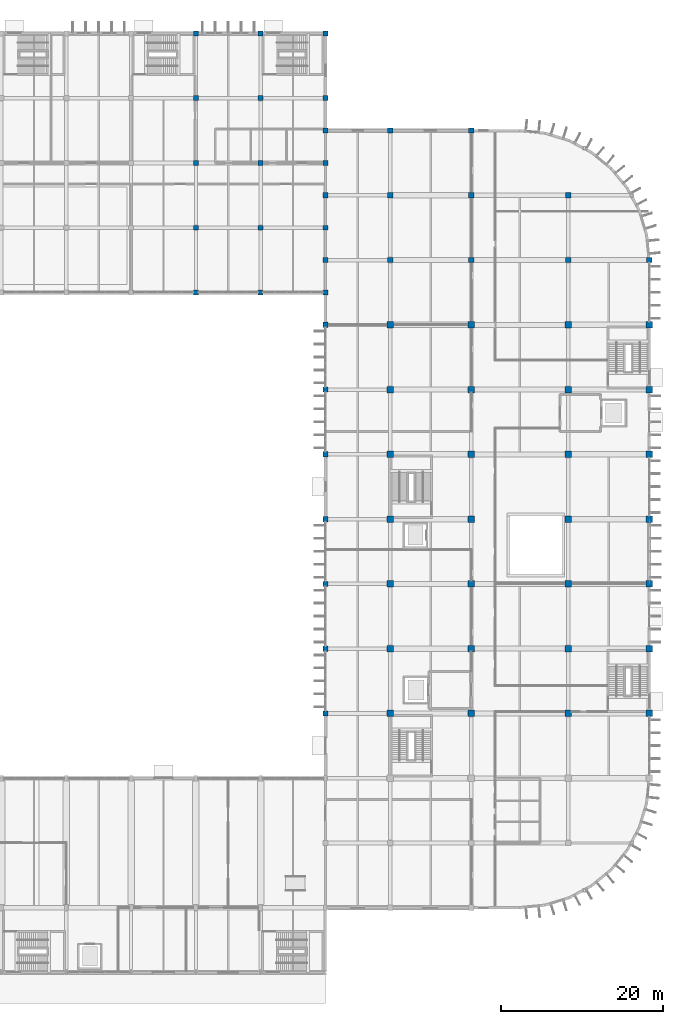
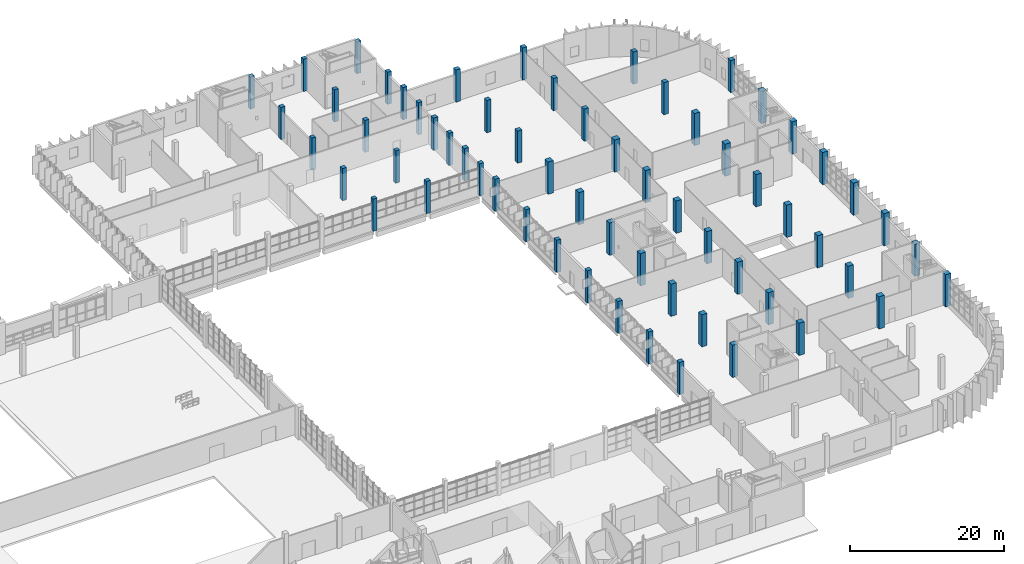
# One storey, part 11 of 103: 62 columns.
"""IFC4 building model written with IfcOpenShell, lengths in metres."""

from ifc_helpers import new_model, si_unit, direction, frame, origin, origin_2d, place, context, subcontext, project, spatial, rectangle, extrude, material, material_profile, profile_set, type_object, element, save


model = new_model("IFC4")

# Units and contexts
model_context = context("Model", 3, precision=1e-05, world=origin(), true_north=direction((0.0, 1.0)))
body_context = subcontext(model_context, "Body", "Model", "MODEL_VIEW")
ifc_project = project(units=[si_unit("LENGTHUNIT", "METRE"), si_unit("AREAUNIT", "SQUARE_METRE"), si_unit("VOLUMEUNIT", "CUBIC_METRE"), si_unit("PLANEANGLEUNIT", "RADIAN"), si_unit("MASSUNIT", "GRAM", prefix="KILO")], contexts=[model_context])

# Site, building, storey
site_placement = place(None, origin())
site = spatial("IfcSite", under=ifc_project, at=site_placement, CompositionType="ELEMENT")
building_placement = place(site_placement, origin())
building = spatial("IfcBuilding", under=site, at=building_placement, Name="Drelvana Railside Aquatics Centre", CompositionType="ELEMENT")
storey_placement = place(building_placement, origin())
storey = spatial("IfcBuildingStorey", under=building, at=storey_placement, Name="L00", CompositionType="ELEMENT", Elevation=0.0)

# Columns
ifc_material = material(Name="Concrete C40/50", Category="concrete")
ifc_material_profile_1 = material_profile(ifc_material, rectangle(XDim=0.60009765625, YDim=0.60009765625, at=origin_2d()), Name="RC 600x600")
ifc_profile_set_1 = profile_set([ifc_material_profile_1], Name="Concrete C40/50")
column_type_1 = type_object("IfcColumnType", Name="STR-COL-RC-600x600", PredefinedType="COLUMN", material=ifc_profile_set_1)
for number, where, z_axis, x_axis, name in (
    (1, (128.0, 84.0, 0.0), (0.0, 0.0, 1.0), (1.0, 0.0, 0.0), "Column C-04 (L00)"),
    (2, (128.0, 92.0, 0.0), (0.0, 0.0, 1.0), (1.0, 0.0, 0.0), "Column C-04 (L00)"),
    (3, (128.0, 100.0, 0.0), (0.0, 0.0, 1.0), (1.0, 0.0, 0.0), "Column C-04 (L00)"),
    (4, (128.0, 108.0, 0.0), (0.0, 0.0, 1.0), (1.0, 0.0, 0.0), "Column C-04 (L00)"),
    (5, (128.0, 116.0, 0.0), (0.0, 0.0, 1.0), (1.0, 0.0, 0.0), "Column C-04 (L00)"),
    (6, (136.0, 84.0, 0.0), (0.0, 0.0, 1.0), (1.0, 0.0, 0.0), "Column C-04 (L00)"),
    (7, (136.0, 92.0, 0.0), (0.0, 0.0, 1.0), (1.0, 0.0, 0.0), "Column C-04 (L00)"),
    (8, (136.0, 100.0, 0.0), (0.0, 0.0, 1.0), (1.0, 0.0, 0.0), "Column C-04 (L00)"),
    (9, (136.0, 108.0, 0.0), (0.0, 0.0, 1.0), (1.0, 0.0, 0.0), "Column C-04 (L00)"),
    (10, (136.0, 116.0, 0.0), (0.0, 0.0, 1.0), (1.0, 0.0, 0.0), "Column C-04 (L00)"),
    (11, (144.0, 84.0, 0.0), (0.0, 0.0, 1.0), (1.0, 0.0, 0.0), "Column C-04 (L00)"),
    (12, (144.0, 92.0, 0.0), (0.0, 0.0, 1.0), (1.0, 0.0, 0.0), "Column C-04 (L00)"),
    (13, (144.0, 100.0, 0.0), (0.0, 0.0, 1.0), (1.0, 0.0, 0.0), "Column C-04 (L00)"),
    (14, (144.0, 108.0, 0.0), (0.0, 0.0, 1.0), (1.0, 0.0, 0.0), "Column C-04 (L00)"),
    (15, (144.0, 116.0, 0.0), (0.0, 0.0, 1.0), (1.0, 0.0, 0.0), "Column C-04 (L00)"),
):
    element("IfcColumn", number, at=place(storey_placement, frame(where, z_axis=z_axis, x_axis=x_axis)), inside=storey, type_object=column_type_1, Name=name, PredefinedType="COLUMN", context=body_context, shape_type="SweptSolid", body=[
        extrude(rectangle(XDim=0.60009765625, YDim=0.60009765625, at=origin_2d()), origin(), (0.0, 0.0, 1.0), 5.125),
    ])
ifc_material_profile_2 = material_profile(ifc_material, rectangle(XDim=0.64990234375, YDim=0.64990234375, at=origin_2d()), Name="RC 650x650")
ifc_profile_set_2 = profile_set([ifc_material_profile_2], Name="Concrete C40/50")
column_type_2 = type_object("IfcColumnType", Name="STR-COL-RC-650x650", PredefinedType="COLUMN", material=ifc_profile_set_2)
for number, where, z_axis, x_axis, name in (
    (16, (144.0, 32.0, 0.0), (0.0, 0.0, 1.0), (1.0, 0.0, 0.0), "Column C-05 (L00)"),
    (17, (144.0, 40.0, 0.0), (0.0, 0.0, 1.0), (1.0, 0.0, 0.0), "Column C-05 (L00)"),
    (18, (144.0, 48.0, 0.0), (0.0, 0.0, 1.0), (1.0, 0.0, 0.0), "Column C-05 (L00)"),
    (19, (144.0, 56.0, 0.0), (0.0, 0.0, 1.0), (1.0, 0.0, 0.0), "Column C-05 (L00)"),
    (20, (144.0, 64.0, 0.0), (0.0, 0.0, 1.0), (1.0, 0.0, 0.0), "Column C-05 (L00)"),
    (21, (144.0, 72.0, 0.0), (0.0, 0.0, 1.0), (1.0, 0.0, 0.0), "Column C-05 (L00)"),
    (22, (144.0, 80.0, 0.0), (0.0, 0.0, 1.0), (1.0, 0.0, 0.0), "Column C-05 (L00)"),
    (23, (144.0, 88.0, 0.0), (0.0, 0.0, 1.0), (1.0, 0.0, 0.0), "Column C-05 (L00)"),
    (24, (152.0, 88.0, 0.0), (0.0, 0.0, 1.0), (1.0, 0.0, 0.0), "Column C-05 (L00)"),
    (25, (162.0, 88.0, 0.0), (0.0, 0.0, 1.0), (1.0, 0.0, 0.0), "Column C-05 (L00)"),
    (26, (174.0, 88.0, 0.0), (0.0, 0.0, 1.0), (1.0, 0.0, 0.0), "Column C-05 (L00)"),
    (27, (184.0, 88.0, 0.0), (0.0, 0.0, 1.0), (1.0, 0.0, 0.0), "Column C-05 (L00)"),
    (28, (144.0, 96.0, 0.0), (0.0, 0.0, 1.0), (1.0, 0.0, 0.0), "Column C-05 (L00)"),
    (29, (152.0, 96.0, 0.0), (0.0, 0.0, 1.0), (1.0, 0.0, 0.0), "Column C-05 (L00)"),
    (30, (162.0, 96.0, 0.0), (0.0, 0.0, 1.0), (1.0, 0.0, 0.0), "Column C-05 (L00)"),
    (31, (174.0, 96.0, 0.0), (0.0, 0.0, 1.0), (1.0, 0.0, 0.0), "Column C-05 (L00)"),
    (32, (144.0, 104.0, 0.0), (0.0, 0.0, 1.0), (1.0, 0.0, 0.0), "Column C-05 (L00)"),
    (33, (152.0, 104.0, 0.0), (0.0, 0.0, 1.0), (1.0, 0.0, 0.0), "Column C-05 (L00)"),
    (34, (162.0, 104.0, 0.0), (0.0, 0.0, 1.0), (1.0, 0.0, 0.0), "Column C-05 (L00)"),
):
    element("IfcColumn", number, at=place(storey_placement, frame(where, z_axis=z_axis, x_axis=x_axis)), inside=storey, type_object=column_type_2, Name=name, PredefinedType="COLUMN", context=body_context, shape_type="SweptSolid", body=[
        extrude(rectangle(XDim=0.64990234375, YDim=0.64990234375, at=origin_2d()), origin(), (0.0, 0.0, 1.0), 5.125),
    ])
ifc_material_profile_3 = material_profile(ifc_material, rectangle(XDim=0.800048828125, YDim=0.800048828125, at=origin_2d()), Name="RC 800x800")
ifc_profile_set_3 = profile_set([ifc_material_profile_3], Name="Concrete C40/50")
column_type_3 = type_object("IfcColumnType", Name="STR-COL-RC-800x800", PredefinedType="COLUMN", material=ifc_profile_set_3)
for number, where, z_axis, x_axis, name in (
    (35, (152.0, 32.0, 0.0), (0.0, 0.0, 1.0), (1.0, 0.0, 0.0), "Column C-08 (L00)"),
    (36, (162.0, 32.0, 0.0), (0.0, 0.0, 1.0), (1.0, 0.0, 0.0), "Column C-08 (L00)"),
    (37, (174.0, 32.0, 0.0), (0.0, 0.0, 1.0), (1.0, 0.0, 0.0), "Column C-08 (L00)"),
    (38, (184.0, 32.0, 0.0), (0.0, 0.0, 1.0), (1.0, 0.0, 0.0), "Column C-08 (L00)"),
    (39, (152.0, 40.0, 0.0), (0.0, 0.0, 1.0), (1.0, 0.0, 0.0), "Column C-08 (L00)"),
    (40, (162.0, 40.0, 0.0), (0.0, 0.0, 1.0), (1.0, 0.0, 0.0), "Column C-08 (L00)"),
    (41, (174.0, 40.0, 0.0), (0.0, 0.0, 1.0), (1.0, 0.0, 0.0), "Column C-08 (L00)"),
    (42, (184.0, 40.0, 0.0), (0.0, 0.0, 1.0), (1.0, 0.0, 0.0), "Column C-08 (L00)"),
    (43, (152.0, 48.0, 0.0), (0.0, 0.0, 1.0), (1.0, 0.0, 0.0), "Column C-08 (L00)"),
    (44, (162.0, 48.0, 0.0), (0.0, 0.0, 1.0), (1.0, 0.0, 0.0), "Column C-08 (L00)"),
    (45, (174.0, 48.0, 0.0), (0.0, 0.0, 1.0), (1.0, 0.0, 0.0), "Column C-08 (L00)"),
    (46, (184.0, 48.0, 0.0), (0.0, 0.0, 1.0), (1.0, 0.0, 0.0), "Column C-08 (L00)"),
    (47, (152.0, 56.0, 0.0), (0.0, 0.0, 1.0), (1.0, 0.0, 0.0), "Column C-08 (L00)"),
    (48, (162.0, 56.0, 0.0), (0.0, 0.0, 1.0), (1.0, 0.0, 0.0), "Column C-08 (L00)"),
    (49, (174.0, 56.0, 0.0), (0.0, 0.0, 1.0), (1.0, 0.0, 0.0), "Column C-08 (L00)"),
    (50, (184.0, 56.0, 0.0), (0.0, 0.0, 1.0), (1.0, 0.0, 0.0), "Column C-08 (L00)"),
    (51, (152.0, 64.0, 0.0), (0.0, 0.0, 1.0), (1.0, 0.0, 0.0), "Column C-08 (L00)"),
    (52, (162.0, 64.0, 0.0), (0.0, 0.0, 1.0), (1.0, 0.0, 0.0), "Column C-08 (L00)"),
    (53, (174.0, 64.0, 0.0), (0.0, 0.0, 1.0), (1.0, 0.0, 0.0), "Column C-08 (L00)"),
    (54, (184.0, 64.0, 0.0), (0.0, 0.0, 1.0), (1.0, 0.0, 0.0), "Column C-08 (L00)"),
    (55, (152.0, 72.0, 0.0), (0.0, 0.0, 1.0), (1.0, 0.0, 0.0), "Column C-08 (L00)"),
    (56, (162.0, 72.0, 0.0), (0.0, 0.0, 1.0), (1.0, 0.0, 0.0), "Column C-08 (L00)"),
    (57, (174.0, 72.0, 0.0), (0.0, 0.0, 1.0), (1.0, 0.0, 0.0), "Column C-08 (L00)"),
    (58, (184.0, 72.0, 0.0), (0.0, 0.0, 1.0), (1.0, 0.0, 0.0), "Column C-08 (L00)"),
    (59, (152.0, 80.0, 0.0), (0.0, 0.0, 1.0), (1.0, 0.0, 0.0), "Column C-08 (L00)"),
    (60, (162.0, 80.0, 0.0), (0.0, 0.0, 1.0), (1.0, 0.0, 0.0), "Column C-08 (L00)"),
    (61, (174.0, 80.0, 0.0), (0.0, 0.0, 1.0), (1.0, 0.0, 0.0), "Column C-08 (L00)"),
    (62, (184.0, 80.0, 0.0), (0.0, 0.0, 1.0), (1.0, 0.0, 0.0), "Column C-08 (L00)"),
):
    element("IfcColumn", number, at=place(storey_placement, frame(where, z_axis=z_axis, x_axis=x_axis)), inside=storey, type_object=column_type_3, Name=name, PredefinedType="COLUMN", context=body_context, shape_type="SweptSolid", body=[
        extrude(rectangle(XDim=0.800048828125, YDim=0.800048828125, at=origin_2d()), origin(), (0.0, 0.0, 1.0), 5.125),
    ])

save(model, "model.ifc")
